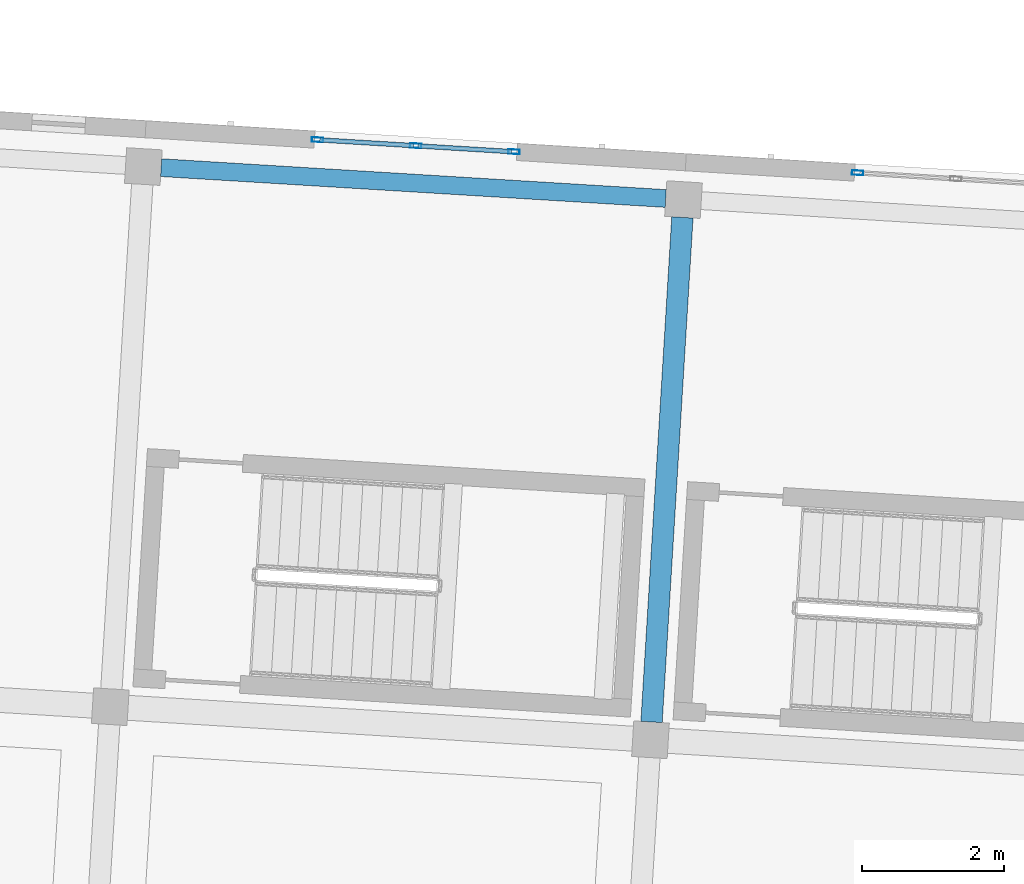
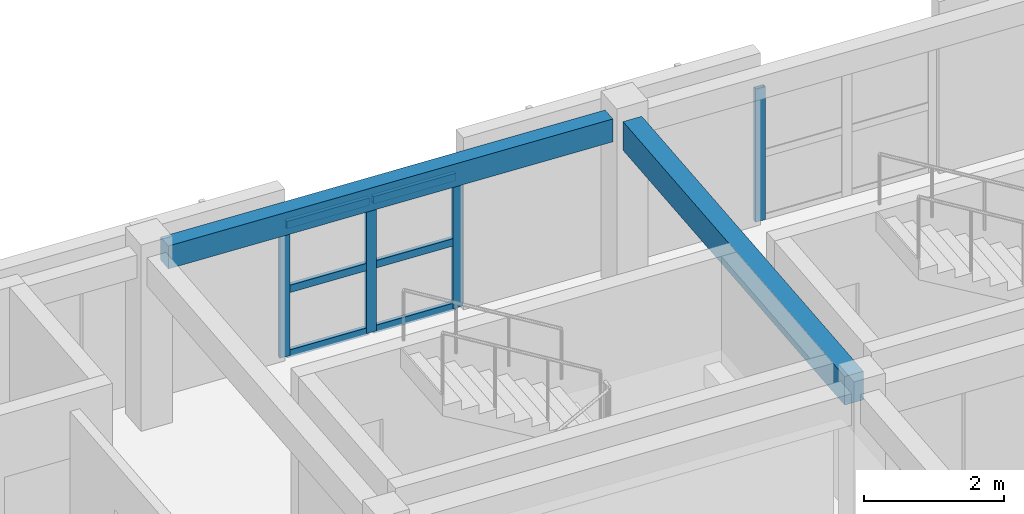
# One storey, part 3 of 74: 10 members, 2 beams, 2 elements without a shape of their own.
"""IFC4 building model written with IfcOpenShell, lengths in metres."""

import ifcopenshell
import ifcopenshell.guid

model = None  # the IFC model being written
_history = None  # IfcOwnerHistory: only IFC2X3 demands one
_inside = {}  # id of a spatial element -> (the spatial element, [elements in it])
_under = {}  # id of a project, library or spatial element -> (it, [spatial elements below it])
_declared = {}  # id of a project -> (the project, [libraries it declares])
_typed = {}  # id of a type object -> (the type object, [elements of that type])
_made_of = {}  # id of a material, layer set ... -> (it, [elements and type objects made of it])


def new_model(schema):
    """Start an empty IFC model of exactly this schema.

    Asked for "IFC4X3", IfcOpenShell would pick the latest addendum, in which some entities
    have other attributes; the version numbers below select the first issue.
    IFC2X3 requires an IfcOwnerHistory on every rooted entity: one is made here for all.
    """
    global model, _history
    if schema == "IFC4X3":
        model = ifcopenshell.file(schema_version=(4, 3, 0, 0))
    else:
        model = ifcopenshell.file(schema=schema)
    _inside.clear()
    _under.clear()
    _declared.clear()
    _typed.clear()
    _made_of.clear()
    _history = None
    if model.schema == "IFC2X3":
        org = make("IfcOrganization", Name="unknown")
        user = make(
            "IfcPersonAndOrganization",
            ThePerson=make("IfcPerson", FamilyName="unknown"),
            TheOrganization=org,
        )
        app = make(
            "IfcApplication",
            ApplicationDeveloper=org,
            Version="unknown",
            ApplicationFullName="unknown",
            ApplicationIdentifier="unknown",
        )
        _history = make(
            "IfcOwnerHistory",
            OwningUser=user,
            OwningApplication=app,
            ChangeAction="ADDED",
            CreationDate=0,
        )
    return model


def make(cls, **values):
    """One entity of the class cls with the attributes given. An attribute that is None is left unset."""
    return model.create_entity(
        cls, **{name: value for name, value in values.items() if value is not None}
    )


def rooted(cls, **values):
    """An entity with a GlobalId (a new one), such as an element, a storey or a relation."""
    return make(cls, GlobalId=ifcopenshell.guid.new(), OwnerHistory=_history, **values)


def si_unit(unit_type, name, prefix=None):
    """IfcSIUnit, for example si_unit("LENGTHUNIT", "METRE", prefix="MILLI")."""
    return make("IfcSIUnit", UnitType=unit_type, Prefix=prefix, Name=name)


def assignment(units):
    """IfcUnitAssignment: the units of a project."""
    return None if units is None else make("IfcUnitAssignment", Units=units)


def point(xyz):
    """IfcCartesianPoint."""
    return None if xyz is None else make("IfcCartesianPoint", Coordinates=xyz)


def direction(xyz):
    """IfcDirection."""
    return None if xyz is None else make("IfcDirection", DirectionRatios=xyz)


def frame(location, z_axis=None, x_axis=None):
    """IfcAxis2Placement3D, a coordinate frame: its origin and axes. An axis left out is left unset."""
    return make(
        "IfcAxis2Placement3D",
        Location=point(location),
        Axis=direction(z_axis),
        RefDirection=direction(x_axis),
    )


def frame_2d(location, x_axis=None):
    """IfcAxis2Placement2D, a coordinate frame in the plane: its origin and x axis."""
    return make(
        "IfcAxis2Placement2D", Location=point(location), RefDirection=direction(x_axis)
    )


def origin():
    """The frame at (0, 0, 0) with its axes left unset."""
    return frame((0.0, 0.0, 0.0))


def origin_2d():
    """The frame at (0, 0) in the plane with its x axis left unset."""
    return frame_2d((0.0, 0.0))


def place(relative_to, where):
    """IfcLocalPlacement: puts the frame where relative to a parent placement (None: the world)."""
    return make(
        "IfcLocalPlacement", PlacementRelTo=relative_to, RelativePlacement=where
    )


def context(
    kind, dimensions, precision=None, world=None, true_north=None, identifier=None
):
    """IfcGeometricRepresentationContext, for example the 3D "Model" context."""
    return make(
        "IfcGeometricRepresentationContext",
        ContextIdentifier=identifier,
        ContextType=kind,
        CoordinateSpaceDimension=dimensions,
        Precision=precision,
        WorldCoordinateSystem=world,
        TrueNorth=true_north,
    )


def subcontext(parent, identifier, kind, view, scale=None):
    """IfcGeometricRepresentationSubContext, for example "Body" below "Model"."""
    return make(
        "IfcGeometricRepresentationSubContext",
        ContextIdentifier=identifier,
        ContextType=kind,
        ParentContext=parent,
        TargetScale=scale,
        TargetView=view,
    )


def project(units=None, contexts=None):
    """IfcProject with its units and contexts."""
    return rooted(
        "IfcProject",
        Name="project",
        RepresentationContexts=contexts,
        UnitsInContext=assignment(units),
    )


def spatial(cls, under=None, at=None, **own):
    """A site, building, storey or space (cls), placed at a placement, below another one or the project."""
    s = rooted(cls, ObjectPlacement=at, **own)
    if under is not None:
        _under.setdefault(under.id(), (under, []))[1].append(s)
    return s


def profile(cls, at=None, kind="AREA", **sizes):
    """A parametric profile (cls). Its sizes go by their IFC names, for example OverallWidth=200.0."""
    return make(cls, ProfileType=kind, Position=at, **sizes)


def rectangle(**sizes):
    """IfcRectangleProfileDef."""
    return profile("IfcRectangleProfileDef", **sizes)


def hollow_rectangle(**sizes):
    """IfcRectangleHollowProfileDef."""
    return profile("IfcRectangleHollowProfileDef", **sizes)


def extrude(swept, where, along, depth):
    """IfcExtrudedAreaSolid: the profile swept, set in the frame where, extruded along a direction by depth."""
    return make(
        "IfcExtrudedAreaSolid",
        SweptArea=swept,
        Position=where,
        ExtrudedDirection=direction(along),
        Depth=depth,
    )


def shape(context_of_items, identifier, shape_type, items):
    """IfcShapeRepresentation: the items that make up one representation, for example the "Body"."""
    return make(
        "IfcShapeRepresentation",
        ContextOfItems=context_of_items,
        RepresentationIdentifier=identifier,
        RepresentationType=shape_type,
        Items=items,
    )


def material(Name=None, Category=None):
    """IfcMaterial."""
    return make("IfcMaterial", Name=Name, Category=Category)


def material_profile(
    of_material, cross_section, Name=None, Category=None, Priority=None
):
    """IfcMaterialProfile: a cross section and its material."""
    return make(
        "IfcMaterialProfile",
        Name=Name,
        Material=of_material,
        Profile=cross_section,
        Priority=Priority,
        Category=Category,
    )


def profile_set(profiles, Name=None, composite=None):
    """IfcMaterialProfileSet."""
    return make(
        "IfcMaterialProfileSet",
        Name=Name,
        MaterialProfiles=profiles,
        CompositeProfile=composite,
    )


def made_of(thing, what):
    """Note that an element or type object is made of a material, layer set ...; save() writes the relation."""
    if what is not None:
        _made_of.setdefault(what.id(), (what, []))[1].append(thing)
    return thing


def type_object(cls, material=None, **own):
    """A type object (cls), such as IfcWallType, which elements share."""
    return made_of(rooted(cls, **own), material)


def element(
    cls,
    number,
    at=None,
    inside=None,
    cuts=None,
    type_object=None,
    material=None,
    context=None,
    identifier="Body",
    shape_type=None,
    held_by="IfcProductDefinitionShape",
    body=None,
    shapes=None,
    **own,
):
    """One element of the class cls, such as IfcWall. Its Tag is "e" and its number.

    at: its placement. inside: the storey or other place that contains it. cuts: it is an
    opening in that element (IfcRelVoidsElement). A single representation is given by context,
    identifier, shape_type and body (its items); several are given by shapes. held_by: the class
    of the entity that holds the representations. save() writes the other relations.
    """
    e = rooted(cls, Tag="e%d" % number, ObjectPlacement=at, **own)
    if body is not None:
        shapes = [shape(context, identifier, shape_type, body)]
    if shapes is not None:
        e.Representation = make(held_by, Representations=shapes)
    if inside is not None:
        _inside.setdefault(inside.id(), (inside, []))[1].append(e)
    if cuts is not None:
        rooted(
            "IfcRelVoidsElement", RelatingBuildingElement=cuts, RelatedOpeningElement=e
        )
    if type_object is not None:
        _typed.setdefault(type_object.id(), (type_object, []))[1].append(e)
    return made_of(e, material)


def aggregate(whole, parts):
    """IfcRelAggregates: a whole, such as a stair, and the parts it consists of."""
    return rooted("IfcRelAggregates", RelatingObject=whole, RelatedObjects=parts)


def save(model, path):
    """Write the relations noted so far, then the file.

    IfcRelAggregates (storeys below a building ...), IfcRelContainedInSpatialStructure (elements
    in a storey), IfcRelDefinesByType, IfcRelAssociatesMaterial and IfcRelDeclares: one each for
    every whole, place, type object, material and project.
    """
    for whole, parts in _under.values():
        aggregate(whole, parts)
    for where, things in _inside.values():
        rooted(
            "IfcRelContainedInSpatialStructure",
            RelatedElements=things,
            RelatingStructure=where,
        )
    for kind, things in _typed.values():
        rooted("IfcRelDefinesByType", RelatedObjects=things, RelatingType=kind)
    for what, things in _made_of.values():
        rooted("IfcRelAssociatesMaterial", RelatedObjects=things, RelatingMaterial=what)
    for by, libraries in _declared.values():
        rooted("IfcRelDeclares", RelatingContext=by, RelatedDefinitions=libraries)
    model.write(path)


model = new_model("IFC4")

# Units and contexts
model_context = context("Model", 3, precision=1e-05, world=origin(), true_north=direction((0.0, 1.0)))
body_context = subcontext(model_context, "Body", "Model", "MODEL_VIEW")
ifc_project = project(units=[si_unit("LENGTHUNIT", "METRE"), si_unit("AREAUNIT", "SQUARE_METRE"), si_unit("VOLUMEUNIT", "CUBIC_METRE"), si_unit("PLANEANGLEUNIT", "RADIAN"), si_unit("MASSUNIT", "GRAM", prefix="KILO")], contexts=[model_context])

# Site, building, storey
site_placement = place(None, origin())
site = spatial("IfcSite", under=ifc_project, at=site_placement, CompositionType="ELEMENT")
building_placement = place(site_placement, origin())
building = spatial("IfcBuilding", under=site, at=building_placement, Name="Kestramere Prow Commons", CompositionType="ELEMENT")
storey_placement = place(building_placement, frame((0.0, 0.0, 11.64990234375)))
storey = spatial("IfcBuildingStorey", under=building, at=storey_placement, Name="L03", CompositionType="ELEMENT", Elevation=11.64990234375)

# Beam
ifc_material_1 = material(Name="Precast concrete C40/50", Category="concrete")
ifc_material_profile_1 = material_profile(ifc_material_1, rectangle(XDim=0.300048828125, YDim=0.5, at=origin_2d()), Name="PC-BM 300x500")
ifc_profile_set_1 = profile_set([ifc_material_profile_1], Name="Precast concrete C40/50")
beam_type_1 = type_object("IfcBeamType", Name="BM-TIE-01 PC-BM 300x500", PredefinedType="BEAM", material=ifc_profile_set_1)
beam_1_placement = place(storey_placement, frame((75.41943359375, 57.79931640625, 2.75), z_axis=(0.061070212127, 0.998133472633, 0.0), x_axis=(-0.998133472633, 0.061070212127, 0.0)))
element("IfcBeam", 1, at=beam_1_placement, inside=storey, type_object=beam_type_1, Name="Block C L03 Transverse Beam 3-3", PredefinedType="BEAM", context=body_context, shape_type="SweptSolid", body=[
    extrude(rectangle(XDim=0.300048828125, YDim=0.5, at=origin_2d()), origin(), (0.0, 0.0, 1.0), 7.099853515625),
])

# Curtain wall, members
ifc_material_2 = material(Name="Anodised Aluminium and Low-E Glass", Category="aluminium")
curtain_wall_type = type_object("IfcCurtainWallType", Name="CW-03 Glazed Curtain Wall 2830x2320", PredefinedType="USERDEFINED", material=ifc_material_2)
curtain_wall_1_placement = place(storey_placement, origin())
curtain_wall_1 = element("IfcCurtainWall", 2, at=curtain_wall_1_placement, inside=storey, type_object=curtain_wall_type, Name="Block C L03 Stairwell Vertical Glazing 2", ObjectType="GLAZED CURTAIN WALL", PredefinedType="USERDEFINED")
ifc_material_3 = material(Name="Anodised Aluminium 6063-T6", Category="aluminium")
ifc_material_profile_2 = material_profile(ifc_material_3, hollow_rectangle(XDim=0.06494140625, YDim=0.159912109375, WallThickness=0.00390625, at=origin_2d()), Name="ALU-MUL 65x160")
ifc_profile_set_2 = profile_set([ifc_material_profile_2], Name="Anodised Aluminium 6063-T6")
member_type_1 = type_object("IfcMemberType", Name="CW-MUL-65x160", PredefinedType="MULLION", material=ifc_profile_set_2)
member_1_placement = place(storey_placement, frame((70.7275390625, 65.975830078125, 0.0), z_axis=(0.0, 0.0, 1.0), x_axis=(0.061048420708, 0.99813480569, 0.0)))
member_1 = element("IfcMember", 3, at=member_1_placement, type_object=member_type_1, Name="CW-03 mullion 1", PredefinedType="MULLION", context=body_context, shape_type="SweptSolid", body=[
    extrude(hollow_rectangle(XDim=0.06494140625, YDim=0.159912109375, WallThickness=0.00390625, at=origin_2d()), origin(), (0.0, 0.0, 1.0), 2.320068359375),
])
member_2_placement = place(storey_placement, frame((72.107421875, 65.8916015625, 0.0), z_axis=(0.0, 0.0, 1.0), x_axis=(0.061048420708, 0.99813480569, 0.0)))
member_2 = element("IfcMember", 4, at=member_2_placement, type_object=member_type_1, Name="CW-03 mullion 2", PredefinedType="MULLION", context=body_context, shape_type="SweptSolid", body=[
    extrude(hollow_rectangle(XDim=0.06494140625, YDim=0.159912109375, WallThickness=0.00390625, at=origin_2d()), origin(), (0.0, 0.0, 1.0), 2.320068359375),
])
member_3_placement = place(storey_placement, frame((73.4873046875, 65.80712890625, 0.0), z_axis=(0.0, 0.0, 1.0), x_axis=(0.061048420708, 0.99813480569, 0.0)))
member_3 = element("IfcMember", 5, at=member_3_placement, type_object=member_type_1, Name="CW-03 mullion 3", PredefinedType="MULLION", context=body_context, shape_type="SweptSolid", body=[
    extrude(hollow_rectangle(XDim=0.06494140625, YDim=0.159912109375, WallThickness=0.00390625, at=origin_2d()), origin(), (0.0, 0.0, 1.0), 2.320068359375),
])

# Curtain wall, member
curtain_wall_2_placement = place(storey_placement, origin())
curtain_wall_2 = element("IfcCurtainWall", 6, at=curtain_wall_2_placement, inside=storey, type_object=curtain_wall_type, Name="Block C L03 Stairwell Vertical Glazing 3", ObjectType="GLAZED CURTAIN WALL", PredefinedType="USERDEFINED")
member_4_placement = place(storey_placement, frame((78.313232421875, 65.511962890625, 0.0), z_axis=(0.0, 0.0, 1.0), x_axis=(0.061048399176, 0.998134807007, 0.0)))
member_4 = element("IfcMember", 7, at=member_4_placement, type_object=member_type_1, Name="CW-03 mullion 1", PredefinedType="MULLION", context=body_context, shape_type="SweptSolid", body=[
    extrude(hollow_rectangle(XDim=0.06494140625, YDim=0.159912109375, WallThickness=0.00390625, at=origin_2d()), origin(), (0.0, 0.0, 1.0), 2.320068359375),
])
aggregate(curtain_wall_2, [member_4])

# Member
ifc_material_profile_3 = material_profile(ifc_material_3, hollow_rectangle(XDim=0.06494140625, YDim=0.1298828125, WallThickness=0.00390625, at=origin_2d()), Name="ALU-TRN 65x130")
ifc_profile_set_3 = profile_set([ifc_material_profile_3], Name="Anodised Aluminium 6063-T6")
member_type_2 = type_object("IfcMemberType", Name="CW-TRN-65x130", PredefinedType="USERDEFINED", material=ifc_profile_set_3)
member_5_placement = place(storey_placement, frame((70.759765625, 65.973876953125, 0.03271484375), z_axis=(0.998140248091, -0.060959372865, 0.0), x_axis=(0.060959372865, 0.998140248091, 0.0)))
member_5 = element("IfcMember", 8, at=member_5_placement, type_object=member_type_2, Name="CW-03 transom 1.1", ObjectType="TRANSOM", PredefinedType="USERDEFINED", context=body_context, shape_type="SweptSolid", body=[
    extrude(hollow_rectangle(XDim=0.06494140625, YDim=0.1298828125, WallThickness=0.00390625, at=origin_2d()), origin(), (0.0, 0.0, 1.0), 1.317626953125),
])

member_6_placement = place(storey_placement, frame((70.759765625, 65.973876953125, 1.16015625), z_axis=(0.998140248091, -0.060959372865, 0.0), x_axis=(0.060959372865, 0.998140248091, 0.0)))
member_6 = element("IfcMember", 9, at=member_6_placement, type_object=member_type_2, Name="CW-03 transom 1.2", ObjectType="TRANSOM", PredefinedType="USERDEFINED", context=body_context, shape_type="SweptSolid", body=[
    extrude(hollow_rectangle(XDim=0.06494140625, YDim=0.1298828125, WallThickness=0.00390625, at=origin_2d()), origin(), (0.0, 0.0, 1.0), 1.317626953125),
])

member_7_placement = place(storey_placement, frame((70.759765625, 65.973876953125, 2.28759765625), z_axis=(0.998140248091, -0.060959372865, 0.0), x_axis=(0.060959372865, 0.998140248091, 0.0)))
member_7 = element("IfcMember", 10, at=member_7_placement, type_object=member_type_2, Name="CW-03 transom 1.3", ObjectType="TRANSOM", PredefinedType="USERDEFINED", context=body_context, shape_type="SweptSolid", body=[
    extrude(hollow_rectangle(XDim=0.06494140625, YDim=0.1298828125, WallThickness=0.00390625, at=origin_2d()), origin(), (0.0, 0.0, 1.0), 1.317626953125),
])

member_8_placement = place(storey_placement, frame((72.139892578125, 65.889404296875, 0.03271484375), z_axis=(0.998139559366, -0.06097064891, 0.0), x_axis=(0.06097064891, 0.998139559366, 0.0)))
member_8 = element("IfcMember", 11, at=member_8_placement, type_object=member_type_2, Name="CW-03 transom 2.1", ObjectType="TRANSOM", PredefinedType="USERDEFINED", context=body_context, shape_type="SweptSolid", body=[
    extrude(hollow_rectangle(XDim=0.06494140625, YDim=0.1298828125, WallThickness=0.00390625, at=origin_2d()), origin(), (0.0, 0.0, 1.0), 1.3173828125),
])

member_9_placement = place(storey_placement, frame((72.139892578125, 65.889404296875, 1.16015625), z_axis=(0.998139559366, -0.06097064891, 0.0), x_axis=(0.06097064891, 0.998139559366, 0.0)))
member_9 = element("IfcMember", 12, at=member_9_placement, type_object=member_type_2, Name="CW-03 transom 2.2", ObjectType="TRANSOM", PredefinedType="USERDEFINED", context=body_context, shape_type="SweptSolid", body=[
    extrude(hollow_rectangle(XDim=0.06494140625, YDim=0.1298828125, WallThickness=0.00390625, at=origin_2d()), origin(), (0.0, 0.0, 1.0), 1.3173828125),
])

member_10_placement = place(storey_placement, frame((72.139892578125, 65.889404296875, 2.28759765625), z_axis=(0.998139559366, -0.06097064891, 0.0), x_axis=(0.06097064891, 0.998139559366, 0.0)))
member_10 = element("IfcMember", 13, at=member_10_placement, type_object=member_type_2, Name="CW-03 transom 2.3", ObjectType="TRANSOM", PredefinedType="USERDEFINED", context=body_context, shape_type="SweptSolid", body=[
    extrude(hollow_rectangle(XDim=0.06494140625, YDim=0.1298828125, WallThickness=0.00390625, at=origin_2d()), origin(), (0.0, 0.0, 1.0), 1.3173828125),
])

aggregate(curtain_wall_1, [member_1, member_2, member_3, member_5, member_6, member_7, member_8, member_9, member_10])

# Beam
ifc_material_profile_4 = material_profile(ifc_material_1, rectangle(XDim=0.25, YDim=0.39990234375, at=origin_2d()), Name="PC-SP 250x400")
ifc_profile_set_4 = profile_set([ifc_material_profile_4], Name="Precast concrete C40/50")
beam_type_2 = type_object("IfcBeamType", Name="SP-EXT-01 PC-SP 250x400", PredefinedType="SPANDREL", material=ifc_profile_set_4)
beam_2_placement = place(storey_placement, frame((68.531982421875, 65.584228515625, 2.800048828125), z_axis=(0.998135568114, -0.061035953884, 0.0), x_axis=(0.061035953884, 0.998135568114, 0.0)))
element("IfcBeam", 14, at=beam_2_placement, inside=storey, type_object=beam_type_2, Name="Block C L03 Longitudinal Beam 4-2", PredefinedType="SPANDREL", context=body_context, shape_type="SweptSolid", body=[
    extrude(rectangle(XDim=0.25, YDim=0.39990234375, at=origin_2d()), origin(), (0.0, 0.0, 1.0), 7.099853515625),
])

save(model, "model.ifc")
